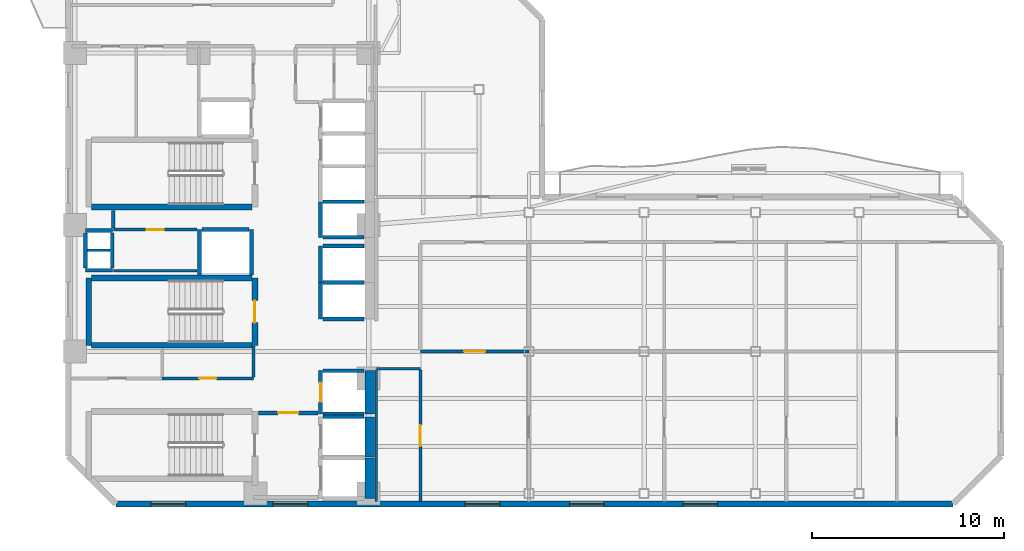
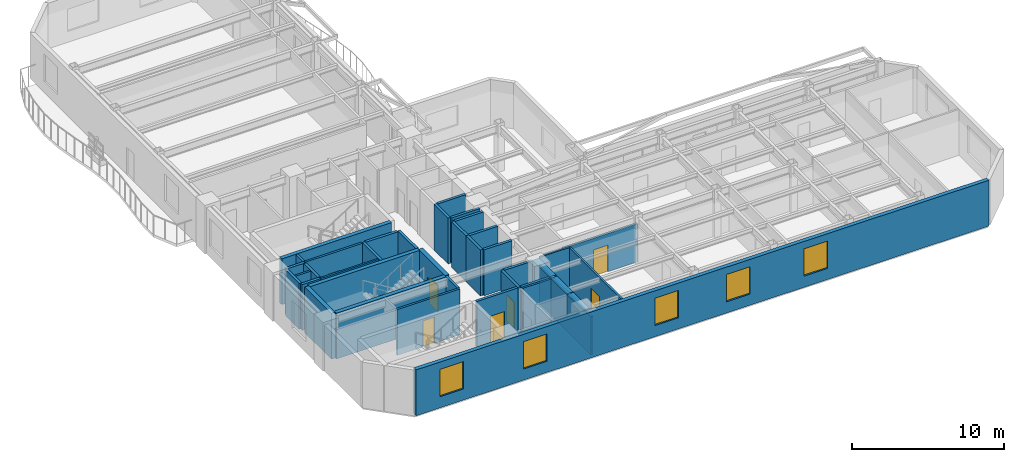
# One storey, part 3 of 9: 39 walls, 7 doors, 5 windows, 12 openings.
"""IFC4 building model written with IfcOpenShell, lengths in metres."""

from ifc_helpers import new_model, si_unit, direction, frame, frame_2d, origin, place, context, subcontext, project, spatial, rectangle, extrude, material, layer, layer_set, type_object, element, fill, save


model = new_model("IFC4")

# Units and contexts
model_context = context("Model", 3, precision=1e-05, world=origin(), true_north=direction((0.0, 1.0)))
body_context = subcontext(model_context, "Body", "Model", "MODEL_VIEW")
ifc_project = project(units=[si_unit("LENGTHUNIT", "METRE"), si_unit("AREAUNIT", "SQUARE_METRE"), si_unit("VOLUMEUNIT", "CUBIC_METRE"), si_unit("PLANEANGLEUNIT", "RADIAN"), si_unit("MASSUNIT", "GRAM", prefix="KILO")], contexts=[model_context])

# Site, building, storey
site_placement = place(None, origin())
site = spatial("IfcSite", under=ifc_project, at=site_placement, CompositionType="ELEMENT")
building_placement = place(site_placement, origin())
building = spatial("IfcBuilding", under=site, at=building_placement, Name="Mawjaban Terraces University", CompositionType="ELEMENT")
storey_placement = place(building_placement, frame((0.0, 0.0, 138.5)))
storey = spatial("IfcBuildingStorey", under=building, at=storey_placement, Name="L33", CompositionType="ELEMENT", Elevation=138.5)

# Wall, opening, door
ifc_material_1 = material(Name="Acoustic masonry blockwork", Category="masonry")
ifc_layer_1 = layer(ifc_material_1, 0.179931640625)
ifc_layer_set_1 = layer_set([ifc_layer_1], Name="Acoustic masonry blockwork")
wall_type_1 = type_object("IfcWallType", Name="AcousticStudioWall_180", PredefinedType="PARTITIONING", material=ifc_layer_set_1)
wall_1_placement = place(storey_placement, frame((46.0, 7.949951171875, 0.0), z_axis=(0.0, 0.0, 1.0), x_axis=(-1.0, 0.0, 0.0)))
wall_1 = element("IfcWall", 1, at=wall_1_placement, inside=storey, type_object=wall_type_1, Name="L33 Teaching Laboratory 2 Partition 19", PredefinedType="PARTITIONING", context=body_context, shape_type="SweptSolid", body=[
    extrude(rectangle(XDim=5.64990234375, YDim=0.179931640625, at=frame_2d((2.824951171875, 0.0))), origin(), (0.0, 0.0, 1.0), 3.072998046875),
])
opening_1_placement = place(wall_1_placement, frame((2.27490234375, 0.0, 0.0)))
opening_1 = element("IfcOpeningElement", 2, at=opening_1_placement, cuts=wall_1, Name="Opening ID-110", PredefinedType="OPENING", context=body_context, shape_type="SweptSolid", body=[
    extrude(rectangle(XDim=1.10009765625, YDim=2.14990234375, at=frame_2d((0.550048828125, 1.074951171875))), frame((0.0, 0.099853515625, 0.0), z_axis=(0.0, -1.0, 0.0), x_axis=(1.0, 0.0, 0.0)), (0.0, 0.0, 1.0), 0.199951171875),
])
ifc_material_2 = material(Name="Powder-coated steel frame and solid acoustic timber leaf", Category="steel")
door_type_1 = type_object("IfcDoorType", Name="LabDoor_1100x2150", OperationType="NOTDEFINED", PredefinedType="DOOR", material=ifc_material_2)
door_1_placement = place(opening_1_placement, origin())
door_1 = element("IfcDoor", 3, at=door_1_placement, inside=storey, type_object=door_type_1, Name="L33 Teaching Laboratory 2 Door", OperationType="SINGLE_SWING_LEFT", OverallHeight=2.14990234375, OverallWidth=1.10009765625, PredefinedType="DOOR", context=body_context, shape_type="SweptSolid", body=[
    extrude(rectangle(XDim=1.10009765625, YDim=2.14990234375, at=frame_2d((0.550048828125, 1.074951171875))), frame((0.0, 0.02490234375, 0.0), z_axis=(0.0, -1.0, 0.0), x_axis=(1.0, 0.0, 0.0)), (0.0, 0.0, 1.0), 0.050048828125),
])
fill(opening_1, door_1)

# Walls
ifc_material_3 = material(Name="Concrete C60/75", Category="concrete")
ifc_layer_2 = layer(ifc_material_3, 0.5)
ifc_layer_set_2 = layer_set([ifc_layer_2], Name="Concrete C60/75")
wall_type_2 = type_object("IfcWallType", Name="CoreShearWall_500", PredefinedType="SHEAR", material=ifc_layer_set_2)
wall_2_placement = place(storey_placement, frame((37.699951171875, 0.300048828125, 0.0), z_axis=(0.0, 0.0, 1.0), x_axis=(0.0, 1.0, 0.0)))
element("IfcWall", 4, at=wall_2_placement, inside=storey, type_object=wall_type_2, Name="L33 Lift FL-1 Hoistway Wall East", PredefinedType="SHEAR", context=body_context, shape_type="SweptSolid", body=[
    extrude(rectangle(XDim=2.099853515625, YDim=0.5, at=frame_2d((1.0498046875, 0.0))), origin(), (0.0, 0.0, 1.0), 3.68994140625),
])
wall_3_placement = place(storey_placement, frame((37.699951171875, 2.449951171875, 0.0), z_axis=(0.0, 0.0, 1.0), x_axis=(0.0, 1.0, 0.0)))
element("IfcWall", 5, at=wall_3_placement, inside=storey, type_object=wall_type_2, Name="L33 Lift FL-2 Hoistway Wall East", PredefinedType="SHEAR", context=body_context, shape_type="SweptSolid", body=[
    extrude(rectangle(XDim=2.10009765625, YDim=0.5, at=frame_2d((1.050048828125, 0.0))), origin(), (0.0, 0.0, 1.0), 3.68994140625),
])
wall_4_placement = place(storey_placement, frame((37.699951171875, 4.699951171875, 0.0), z_axis=(0.0, 0.0, 1.0), x_axis=(0.0, 1.0, 0.0)))
element("IfcWall", 6, at=wall_4_placement, inside=storey, type_object=wall_type_2, Name="L33 Lift SL-1 Hoistway Wall East", PredefinedType="SHEAR", context=body_context, shape_type="SweptSolid", body=[
    extrude(rectangle(XDim=2.25, YDim=0.5, at=frame_2d((1.125, 0.0))), origin(), (0.0, 0.0, 1.0), 3.68994140625),
])

# Wall, opening, door
ifc_material_4 = material(Name="Fire-rated gypsum board on steel stud", Category="steel")
ifc_layer_3 = layer(ifc_material_4, 0.159912109375)
ifc_layer_set_3 = layer_set([ifc_layer_3], Name="Fire-rated gypsum board on steel stud")
wall_type_3 = type_object("IfcWallType", Name="CorridorPartition_160", PredefinedType="PARTITIONING", material=ifc_layer_set_3)
wall_5_placement = place(storey_placement, frame((24.35009765625, 14.300048828125, 0.0), z_axis=(0.0, 0.0, 1.0), x_axis=(1.0, 0.0, 0.0)))
wall_5 = element("IfcWall", 7, at=wall_5_placement, inside=storey, type_object=wall_type_3, Name="L33 Core Riser Access Passage Partition 2", PredefinedType="PARTITIONING", context=body_context, shape_type="SweptSolid", body=[
    extrude(rectangle(XDim=4.369873046875, YDim=0.159912109375, at=frame_2d((2.18505859375, 0.0))), origin(), (0.0, 0.0, 1.0), 3.68994140625),
])
opening_2_placement = place(wall_5_placement, frame((1.7451171875, 0.0, 0.0)))
opening_2 = element("IfcOpeningElement", 8, at=opening_2_placement, cuts=wall_5, Name="Opening ID-088", PredefinedType="OPENING", context=body_context, shape_type="SweptSolid", body=[
    extrude(rectangle(XDim=0.8798828125, YDim=2.10009765625, at=frame_2d((0.43994140625, 1.050048828125))), frame((0.0, 0.08984375, 0.0), z_axis=(0.0, -1.0, 0.0), x_axis=(1.0, 0.0, 0.0)), (0.0, 0.0, 1.0), 0.179931640625),
])
door_type_2 = type_object("IfcDoorType", Name="ToiletDoor_880x2100", OperationType="NOTDEFINED", PredefinedType="DOOR", material=ifc_material_2)
door_2_placement = place(opening_2_placement, origin())
door_2 = element("IfcDoor", 9, at=door_2_placement, inside=storey, type_object=door_type_2, Name="L33 Ablution Room Door", OperationType="SINGLE_SWING_RIGHT", OverallHeight=2.10009765625, OverallWidth=0.8798828125, PredefinedType="DOOR", context=body_context, shape_type="SweptSolid", body=[
    extrude(rectangle(XDim=0.8798828125, YDim=2.10009765625, at=frame_2d((0.43994140625, 1.050048828125))), frame((0.0, 0.02490234375, 0.0), z_axis=(0.0, -1.0, 0.0), x_axis=(1.0, 0.0, 0.0)), (0.0, 0.0, 1.0), 0.050048828125),
])
fill(opening_2, door_2)

wall_6_placement = place(storey_placement, frame((31.64990234375, 6.550048828125, 0.0), z_axis=(0.0, 0.0, 1.0), x_axis=(-1.0, 0.0, 0.0)))
wall_6 = element("IfcWall", 10, at=wall_6_placement, inside=storey, type_object=wall_type_3, Name="L33 Core Washroom Lobby Partition 7", PredefinedType="PARTITIONING", context=body_context, shape_type="SweptSolid", body=[
    extrude(rectangle(XDim=4.75, YDim=0.159912109375, at=frame_2d((2.375, 0.0))), origin(), (0.0, 0.0, 1.0), 3.68994140625),
])
opening_3_placement = place(wall_6_placement, frame((1.93505859375, 0.0, 0.0)))
opening_3 = element("IfcOpeningElement", 11, at=opening_3_placement, cuts=wall_6, Name="Opening ID-088", PredefinedType="OPENING", context=body_context, shape_type="SweptSolid", body=[
    extrude(rectangle(XDim=0.8798828125, YDim=2.10009765625, at=frame_2d((0.43994140625, 1.050048828125))), frame((0.0, 0.08984375, 0.0), z_axis=(0.0, -1.0, 0.0), x_axis=(1.0, 0.0, 0.0)), (0.0, 0.0, 1.0), 0.179931640625),
])
door_3_placement = place(opening_3_placement, origin())
door_3 = element("IfcDoor", 12, at=door_3_placement, inside=storey, type_object=door_type_2, Name="L33 Accessible Toilet Door", OperationType="SINGLE_SWING_LEFT", OverallHeight=2.10009765625, OverallWidth=0.8798828125, PredefinedType="DOOR", context=body_context, shape_type="SweptSolid", body=[
    extrude(rectangle(XDim=0.8798828125, YDim=2.10009765625, at=frame_2d((0.43994140625, 1.050048828125))), frame((0.0, 0.02490234375, 0.0), z_axis=(0.0, -1.0, 0.0), x_axis=(1.0, 0.0, 0.0)), (0.0, 0.0, 1.0), 0.050048828125),
])
fill(opening_3, door_3)

# Walls
wall_7_placement = place(storey_placement, frame((24.35009765625, 15.2900390625, 0.0), z_axis=(0.0, 0.0, 1.0), x_axis=(0.0, -1.0, 0.0)))
element("IfcWall", 13, at=wall_7_placement, inside=storey, type_object=wall_type_3, Name="L33 Core Riser Access Passage Partition 28", PredefinedType="PARTITIONING", context=body_context, shape_type="SweptSolid", body=[
    extrude(rectangle(XDim=0.9150390625, YDim=0.159912109375, at=frame_2d((0.45751953125, 0.0))), origin(), (0.0, 0.0, 1.0), 3.68994140625),
])
wall_8_placement = place(storey_placement, frame((31.64990234375, 8.239990234375, 0.0), z_axis=(0.0, 0.0, 1.0), x_axis=(0.0, -1.0, 0.0)))
element("IfcWall", 14, at=wall_8_placement, inside=storey, type_object=wall_type_3, Name="L33 Passenger Lift Lobby Partition 32", PredefinedType="PARTITIONING", context=body_context, shape_type="SweptSolid", body=[
    extrude(rectangle(XDim=1.614990234375, YDim=0.159912109375, at=frame_2d((0.8076171875, 0.0))), origin(), (0.0, 0.0, 1.0), 3.68994140625),
])

# Wall, openings, windows
ifc_material_5 = material(Name="Insulated terracotta rainscreen on concrete backup C40/50", Category="masonry")
ifc_layer_4 = layer(ifc_material_5, 0.300048828125)
ifc_layer_set_4 = layer_set([ifc_layer_4], Name="Insulated terracotta rainscreen on concrete backup C40/50")
wall_type_4 = type_object("IfcWallType", Name="ExtTerracottaWall_300", PredefinedType="SOLIDWALL", material=ifc_layer_set_4)
wall_9_placement = place(storey_placement, frame((24.5, 0.0, 0.0), z_axis=(0.0, 0.0, 1.0), x_axis=(1.0, 0.0, 0.0)))
wall_9 = element("IfcWall", 15, at=wall_9_placement, inside=storey, type_object=wall_type_4, Name="L33 Exterior Terracotta Wall 1", PredefinedType="SOLIDWALL", context=body_context, shape_type="SweptSolid", body=[
    extrude(rectangle(XDim=43.60009765625, YDim=0.300048828125, at=frame_2d((21.800048828125, 0.0))), origin(), (0.0, 0.0, 1.0), 3.68994140625),
])
opening_4_placement = place(wall_9_placement, frame((1.824951171875, 0.0, 0.89990234375)))
opening_4 = element("IfcOpeningElement", 16, at=opening_4_placement, cuts=wall_9, Name="Opening W-10", PredefinedType="OPENING", context=body_context, shape_type="SweptSolid", body=[
    extrude(rectangle(XDim=1.800048828125, YDim=2.199951171875, at=frame_2d((0.89990234375, 1.10009765625))), frame((0.0, 0.159912109375, 0.0), z_axis=(0.0, -1.0, 0.0), x_axis=(1.0, 0.0, 0.0)), (0.0, 0.0, 1.0), 0.320068359375),
])
opening_5_placement = place(wall_9_placement, frame((8.175048828125, 0.0, 0.89990234375)))
opening_5 = element("IfcOpeningElement", 17, at=opening_5_placement, cuts=wall_9, Name="Opening W-10", PredefinedType="OPENING", context=body_context, shape_type="SweptSolid", body=[
    extrude(rectangle(XDim=1.800048828125, YDim=2.199951171875, at=frame_2d((0.89990234375, 1.10009765625))), frame((0.0, 0.159912109375, 0.0), z_axis=(0.0, -1.0, 0.0), x_axis=(1.0, 0.0, 0.0)), (0.0, 0.0, 1.0), 0.320068359375),
])
opening_6_placement = place(wall_9_placement, frame((18.175048828125, 0.0, 0.89990234375)))
opening_6 = element("IfcOpeningElement", 18, at=opening_6_placement, cuts=wall_9, Name="Opening W-10", PredefinedType="OPENING", context=body_context, shape_type="SweptSolid", body=[
    extrude(rectangle(XDim=1.800048828125, YDim=2.199951171875, at=frame_2d((0.89990234375, 1.10009765625))), frame((0.0, 0.159912109375, 0.0), z_axis=(0.0, -1.0, 0.0), x_axis=(1.0, 0.0, 0.0)), (0.0, 0.0, 1.0), 0.320068359375),
])
opening_7_placement = place(wall_9_placement, frame((23.625, 0.0, 0.89990234375)))
opening_7 = element("IfcOpeningElement", 19, at=opening_7_placement, cuts=wall_9, Name="Opening W-10", PredefinedType="OPENING", context=body_context, shape_type="SweptSolid", body=[
    extrude(rectangle(XDim=1.800048828125, YDim=2.199951171875, at=frame_2d((0.89990234375, 1.10009765625))), frame((0.0, 0.159912109375, 0.0), z_axis=(0.0, -1.0, 0.0), x_axis=(1.0, 0.0, 0.0)), (0.0, 0.0, 1.0), 0.320068359375),
])
opening_8_placement = place(wall_9_placement, frame((29.52490234375, 0.0, 0.89990234375)))
opening_8 = element("IfcOpeningElement", 20, at=opening_8_placement, cuts=wall_9, Name="Opening W-10", PredefinedType="OPENING", context=body_context, shape_type="SweptSolid", body=[
    extrude(rectangle(XDim=1.800048828125, YDim=2.199951171875, at=frame_2d((0.89990234375, 1.10009765625))), frame((0.0, 0.159912109375, 0.0), z_axis=(0.0, -1.0, 0.0), x_axis=(1.0, 0.0, 0.0)), (0.0, 0.0, 1.0), 0.320068359375),
])
ifc_material_6 = material(Name="Low-E solar-control double glazing in thermally broken aluminium frame", Category="aluminium")
window_type = type_object("IfcWindowType", Name="Win_1800x2200", PartitioningType="SINGLE_PANEL", PredefinedType="WINDOW", material=ifc_material_6)
window_1_placement = place(opening_4_placement, origin())
window_1 = element("IfcWindow", 21, at=window_1_placement, inside=storey, type_object=window_type, Name="L33 Facade Window 1.1", OverallHeight=2.199951171875, OverallWidth=1.800048828125, PartitioningType="SINGLE_PANEL", PredefinedType="WINDOW", context=body_context, shape_type="SweptSolid", body=[
    extrude(rectangle(XDim=1.800048828125, YDim=2.199951171875, at=frame_2d((0.89990234375, 1.10009765625))), frame((0.0, 0.030029296875, 0.0), z_axis=(0.0, -1.0, 0.0), x_axis=(1.0, 0.0, 0.0)), (0.0, 0.0, 1.0), 0.06005859375),
])
fill(opening_4, window_1)
window_2_placement = place(opening_5_placement, origin())
window_2 = element("IfcWindow", 22, at=window_2_placement, inside=storey, type_object=window_type, Name="L33 Facade Window 1.2", OverallHeight=2.199951171875, OverallWidth=1.800048828125, PartitioningType="SINGLE_PANEL", PredefinedType="WINDOW", context=body_context, shape_type="SweptSolid", body=[
    extrude(rectangle(XDim=1.800048828125, YDim=2.199951171875, at=frame_2d((0.89990234375, 1.10009765625))), frame((0.0, 0.030029296875, 0.0), z_axis=(0.0, -1.0, 0.0), x_axis=(1.0, 0.0, 0.0)), (0.0, 0.0, 1.0), 0.06005859375),
])
fill(opening_5, window_2)
window_3_placement = place(opening_6_placement, origin())
window_3 = element("IfcWindow", 23, at=window_3_placement, inside=storey, type_object=window_type, Name="L33 Facade Window 1.4", OverallHeight=2.199951171875, OverallWidth=1.800048828125, PartitioningType="SINGLE_PANEL", PredefinedType="WINDOW", context=body_context, shape_type="SweptSolid", body=[
    extrude(rectangle(XDim=1.800048828125, YDim=2.199951171875, at=frame_2d((0.89990234375, 1.10009765625))), frame((0.0, 0.030029296875, 0.0), z_axis=(0.0, -1.0, 0.0), x_axis=(1.0, 0.0, 0.0)), (0.0, 0.0, 1.0), 0.06005859375),
])
fill(opening_6, window_3)
window_4_placement = place(opening_7_placement, origin())
window_4 = element("IfcWindow", 24, at=window_4_placement, inside=storey, type_object=window_type, Name="L33 Facade Window 1.5", OverallHeight=2.199951171875, OverallWidth=1.800048828125, PartitioningType="SINGLE_PANEL", PredefinedType="WINDOW", context=body_context, shape_type="SweptSolid", body=[
    extrude(rectangle(XDim=1.800048828125, YDim=2.199951171875, at=frame_2d((0.89990234375, 1.10009765625))), frame((0.0, 0.030029296875, 0.0), z_axis=(0.0, -1.0, 0.0), x_axis=(1.0, 0.0, 0.0)), (0.0, 0.0, 1.0), 0.06005859375),
])
fill(opening_7, window_4)
window_5_placement = place(opening_8_placement, origin())
window_5 = element("IfcWindow", 25, at=window_5_placement, inside=storey, type_object=window_type, Name="L33 Facade Window 1.6", OverallHeight=2.199951171875, OverallWidth=1.800048828125, PartitioningType="SINGLE_PANEL", PredefinedType="WINDOW", context=body_context, shape_type="SweptSolid", body=[
    extrude(rectangle(XDim=1.800048828125, YDim=2.199951171875, at=frame_2d((0.89990234375, 1.10009765625))), frame((0.0, 0.030029296875, 0.0), z_axis=(0.0, -1.0, 0.0), x_axis=(1.0, 0.0, 0.0)), (0.0, 0.0, 1.0), 0.06005859375),
])
fill(opening_8, window_5)

# Wall
ifc_material_7 = material(Name="Concrete C40/50", Category="concrete")
ifc_layer_5 = layer(ifc_material_7, 0.199951171875)
ifc_layer_set_5 = layer_set([ifc_layer_5], Name="Concrete C40/50")
wall_type_5 = type_object("IfcWallType", Name="FireLobbyWall_200", PredefinedType="SOLIDWALL", material=ifc_layer_set_5)
wall_10_placement = place(storey_placement, frame((37.419921875, 4.550048828125, 0.0), z_axis=(0.0, 0.0, 1.0), x_axis=(-1.0, 0.0, 0.0)))
element("IfcWall", 26, at=wall_10_placement, inside=storey, type_object=wall_type_5, Name="L33 Lift FL-2 Hoistway Wall North", PredefinedType="SOLIDWALL", context=body_context, shape_type="SweptSolid", body=[
    extrude(rectangle(XDim=2.139892578125, YDim=0.199951171875, at=frame_2d((1.06982421875, 0.0))), origin(), (0.0, 0.0, 1.0), 3.68994140625),
])

# Wall, opening, door
wall_11_placement = place(storey_placement, frame((35.14990234375, 6.949951171875, 0.0), z_axis=(0.0, 0.0, 1.0), x_axis=(0.0, -1.0, 0.0)))
wall_11 = element("IfcWall", 27, at=wall_11_placement, inside=storey, type_object=wall_type_5, Name="L33 Lift SL-1 Hoistway Wall West", PredefinedType="SOLIDWALL", context=body_context, shape_type="SweptSolid", body=[
    extrude(rectangle(XDim=2.25, YDim=0.199951171875, at=frame_2d((1.125, 0.0))), origin(), (0.0, 0.0, 1.0), 3.68994140625),
])
opening_9_placement = place(wall_11_placement, frame((0.625, 0.0, 0.0)))
opening_9 = element("IfcOpeningElement", 28, at=opening_9_placement, cuts=wall_11, Name="Opening LD-SL-1", PredefinedType="OPENING", context=body_context, shape_type="SweptSolid", body=[
    extrude(rectangle(XDim=1.0, YDim=2.10009765625, at=frame_2d((0.5, 1.050048828125))), frame((0.0, 0.10986328125, 0.0), z_axis=(0.0, -1.0, 0.0), x_axis=(1.0, 0.0, 0.0)), (0.0, 0.0, 1.0), 0.219970703125),
])
ifc_material_8 = material(Name="Powder-coated steel frame and fire-rated steel-faced leaf", Category="steel")
door_type_3 = type_object("IfcDoorType", Name="LiftLandingSliding_1000x2100", OperationType="NOTDEFINED", PredefinedType="DOOR", material=ifc_material_8)
door_4_placement = place(opening_9_placement, origin())
door_4 = element("IfcDoor", 29, at=door_4_placement, inside=storey, type_object=door_type_3, Name="L33 Lift SL-1 Sliding Landing Door", OperationType="DOUBLE_DOOR_SLIDING", OverallHeight=2.10009765625, OverallWidth=1.0, PredefinedType="DOOR", context=body_context, shape_type="SweptSolid", body=[
    extrude(rectangle(XDim=1.0, YDim=2.10009765625, at=frame_2d((0.5, 1.050048828125))), frame((0.0, 0.02490234375, 0.0), z_axis=(0.0, -1.0, 0.0), x_axis=(1.0, 0.0, 0.0)), (0.0, 0.0, 1.0), 0.050048828125),
])
fill(opening_9, door_4)

# Walls
for number, where, z_axis, x_axis, name in (
    (30, (35.280029296875, 4.699951171875, 0.0), (0.0, 0.0, 1.0), (1.0, 0.0, 0.0), "L33 Lift SL-1 Hoistway Wall South"),
    (31, (37.419921875, 6.949951171875, 0.0), (0.0, 0.0, 1.0), (-1.0, 0.0, 0.0), "L33 Lift SL-1 Hoistway Wall North"),
):
    element("IfcWall", number, at=place(storey_placement, frame(where, z_axis=z_axis, x_axis=x_axis)), inside=storey, type_object=wall_type_5, Name=name, PredefinedType="SOLIDWALL", context=body_context, shape_type="SweptSolid", body=[
        extrude(rectangle(XDim=2.139892578125, YDim=0.199951171875, at=frame_2d((1.06982421875, 0.0))), origin(), (0.0, 0.0, 1.0), 3.68994140625),
    ])
wall_12_placement = place(storey_placement, frame((35.14990234375, 11.550048828125, 0.0), z_axis=(0.0, 0.0, 1.0), x_axis=(0.0, -1.0, 0.0)))
element("IfcWall", 32, at=wall_12_placement, inside=storey, type_object=wall_type_5, Name="L33 Lift PL-H1 Hoistway Wall West", PredefinedType="SOLIDWALL", context=body_context, shape_type="SweptSolid", body=[
    extrude(rectangle(XDim=1.900146484375, YDim=0.199951171875, at=frame_2d((0.9501953125, 0.0))), origin(), (0.0, 0.0, 1.0), 3.68994140625),
])
for number, where, z_axis, x_axis, name in (
    (33, (35.280029296875, 9.64990234375, 0.0), (0.0, 0.0, 1.0), (1.0, 0.0, 0.0), "L33 Lift PL-H1 Hoistway Wall South"),
    (34, (37.419921875, 11.550048828125, 0.0), (0.0, 0.0, 1.0), (-1.0, 0.0, 0.0), "L33 Lift PL-H1 Hoistway Wall North"),
):
    element("IfcWall", number, at=place(storey_placement, frame(where, z_axis=z_axis, x_axis=x_axis)), inside=storey, type_object=wall_type_5, Name=name, PredefinedType="SOLIDWALL", context=body_context, shape_type="SweptSolid", body=[
        extrude(rectangle(XDim=2.139892578125, YDim=0.199951171875, at=frame_2d((1.06982421875, 0.0))), origin(), (0.0, 0.0, 1.0), 3.68994140625),
    ])
wall_13_placement = place(storey_placement, frame((35.14990234375, 13.449951171875, 0.0), z_axis=(0.0, 0.0, 1.0), x_axis=(0.0, -1.0, 0.0)))
element("IfcWall", 35, at=wall_13_placement, inside=storey, type_object=wall_type_5, Name="L33 Lift PL-H2 Hoistway Wall West", PredefinedType="SOLIDWALL", context=body_context, shape_type="SweptSolid", body=[
    extrude(rectangle(XDim=1.89990234375, YDim=0.199951171875, at=frame_2d((0.949951171875, 0.0))), origin(), (0.0, 0.0, 1.0), 3.68994140625),
])
wall_14_placement = place(storey_placement, frame((37.419921875, 13.449951171875, 0.0), z_axis=(0.0, 0.0, 1.0), x_axis=(-1.0, 0.0, 0.0)))
element("IfcWall", 36, at=wall_14_placement, inside=storey, type_object=wall_type_5, Name="L33 Lift PL-H2 Hoistway Wall North", PredefinedType="SOLIDWALL", context=body_context, shape_type="SweptSolid", body=[
    extrude(rectangle(XDim=2.139892578125, YDim=0.199951171875, at=frame_2d((1.06982421875, 0.0))), origin(), (0.0, 0.0, 1.0), 3.68994140625),
])
for number, where, z_axis, x_axis, name in (
    (37, (28.85009765625, 14.300048828125, 0.0), (0.0, 0.0, 1.0), (0.0, -1.0, 0.0), "L33 Lift PL-H3 Hoistway Wall West"),
    (38, (31.550048828125, 11.929931640625, 0.0), (0.0, 0.0, 1.0), (0.0, 1.0, 0.0), "L33 Lift PL-H3 Hoistway Wall East"),
):
    element("IfcWall", number, at=place(storey_placement, frame(where, z_axis=z_axis, x_axis=x_axis)), inside=storey, type_object=wall_type_5, Name=name, PredefinedType="SOLIDWALL", context=body_context, shape_type="SweptSolid", body=[
        extrude(rectangle(XDim=2.3701171875, YDim=0.199951171875, at=frame_2d((1.18505859375, 0.0))), origin(), (0.0, 0.0, 1.0), 3.68994140625),
    ])
wall_15_placement = place(storey_placement, frame((31.419921875, 14.300048828125, 0.0), z_axis=(0.0, 0.0, 1.0), x_axis=(-1.0, 0.0, 0.0)))
element("IfcWall", 39, at=wall_15_placement, inside=storey, type_object=wall_type_5, Name="L33 Lift PL-H3 Hoistway Wall North", PredefinedType="SOLIDWALL", context=body_context, shape_type="SweptSolid", body=[
    extrude(rectangle(XDim=2.43994140625, YDim=0.199951171875, at=frame_2d((1.219970703125, 0.0))), origin(), (0.0, 0.0, 1.0), 3.68994140625),
])
wall_16_placement = place(storey_placement, frame((35.14990234375, 15.75, 0.0), z_axis=(0.0, 0.0, 1.0), x_axis=(0.0, -1.0, 0.0)))
element("IfcWall", 40, at=wall_16_placement, inside=storey, type_object=wall_type_5, Name="L33 Lift OL-1 Hoistway Wall West", PredefinedType="SOLIDWALL", context=body_context, shape_type="SweptSolid", body=[
    extrude(rectangle(XDim=1.85009765625, YDim=0.199951171875, at=frame_2d((0.925048828125, 0.0))), origin(), (0.0, 0.0, 1.0), 3.68994140625),
])
for number, where, z_axis, x_axis, name in (
    (41, (35.280029296875, 13.89990234375, 0.0), (0.0, 0.0, 1.0), (1.0, 0.0, 0.0), "L33 Lift OL-1 Hoistway Wall South"),
    (42, (37.419921875, 15.75, 0.0), (0.0, 0.0, 1.0), (-1.0, 0.0, 0.0), "L33 Lift OL-1 Hoistway Wall North"),
):
    element("IfcWall", number, at=place(storey_placement, frame(where, z_axis=z_axis, x_axis=x_axis)), inside=storey, type_object=wall_type_5, Name=name, PredefinedType="SOLIDWALL", context=body_context, shape_type="SweptSolid", body=[
        extrude(rectangle(XDim=2.139892578125, YDim=0.199951171875, at=frame_2d((1.06982421875, 0.0))), origin(), (0.0, 0.0, 1.0), 3.68994140625),
    ])
for number, where, z_axis, x_axis, name in (
    (43, (22.89990234375, 14.25, 0.0), (0.0, 0.0, 1.0), (1.0, 0.0, 0.0), "L33 MEP Riser Shaft Wall N"),
    (44, (22.89990234375, 12.179931640625, 0.0), (0.0, 0.0, 1.0), (1.0, 0.0, 0.0), "L33 MEP Riser Shaft Wall S"),
):
    element("IfcWall", number, at=place(storey_placement, frame(where, z_axis=z_axis, x_axis=x_axis)), inside=storey, type_object=wall_type_5, Name=name, PredefinedType="SOLIDWALL", context=body_context, shape_type="SweptSolid", body=[
        extrude(rectangle(XDim=1.400146484375, YDim=0.199951171875, at=frame_2d((0.7001953125, 0.0))), origin(), (0.0, 0.0, 1.0), 3.68994140625),
    ])
for number, where, z_axis, x_axis, name in (
    (45, (24.300048828125, 12.300048828125, 0.0), (0.0, 0.0, 1.0), (0.0, 1.0, 0.0), "L33 MEP Riser Shaft Wall E"),
    (46, (22.89990234375, 12.300048828125, 0.0), (0.0, 0.0, 1.0), (0.0, 1.0, 0.0), "L33 MEP Riser Shaft Wall W"),
):
    element("IfcWall", number, at=place(storey_placement, frame(where, z_axis=z_axis, x_axis=x_axis)), inside=storey, type_object=wall_type_5, Name=name, PredefinedType="SOLIDWALL", context=body_context, shape_type="SweptSolid", body=[
        extrude(rectangle(XDim=1.829833984375, YDim=0.199951171875, at=frame_2d((0.9150390625, 0.0))), origin(), (0.0, 0.0, 1.0), 3.68994140625),
    ])

# Wall, opening, door
wall_17_placement = place(storey_placement, frame((35.02001953125, 4.75, 0.0), z_axis=(0.0, 0.0, 1.0), x_axis=(-1.0, 0.0, 0.0)))
wall_17 = element("IfcWall", 47, at=wall_17_placement, inside=storey, type_object=wall_type_5, Name="L33 Firefighting Lift Lobby Partition 9", PredefinedType="SOLIDWALL", context=body_context, shape_type="SweptSolid", body=[
    extrude(rectangle(XDim=3.110107421875, YDim=0.199951171875, at=frame_2d((1.55517578125, 0.0))), origin(), (0.0, 0.0, 1.0), 3.68994140625),
])
opening_10_placement = place(wall_17_placement, frame((1.030029296875, 0.0, 0.0)))
opening_10 = element("IfcOpeningElement", 48, at=opening_10_placement, cuts=wall_17, Name="Opening FD-105", PredefinedType="OPENING", context=body_context, shape_type="SweptSolid", body=[
    extrude(rectangle(XDim=1.050048828125, YDim=2.14990234375, at=frame_2d((0.52490234375, 1.074951171875))), frame((0.0, 0.10986328125, 0.0), z_axis=(0.0, -1.0, 0.0), x_axis=(1.0, 0.0, 0.0)), (0.0, 0.0, 1.0), 0.219970703125),
])
door_type_4 = type_object("IfcDoorType", Name="FireLobbyDoor_1050x2150", OperationType="NOTDEFINED", PredefinedType="DOOR", material=ifc_material_8)
door_5_placement = place(opening_10_placement, origin())
door_5 = element("IfcDoor", 49, at=door_5_placement, inside=storey, type_object=door_type_4, Name="L33 Firefighting Lift Lobby Door", OperationType="SINGLE_SWING_RIGHT", OverallHeight=2.14990234375, OverallWidth=1.050048828125, PredefinedType="DOOR", context=body_context, shape_type="SweptSolid", body=[
    extrude(rectangle(XDim=1.050048828125, YDim=2.14990234375, at=frame_2d((0.52490234375, 1.074951171875))), frame((0.0, 0.02490234375, 0.0), z_axis=(0.0, -1.0, 0.0), x_axis=(1.0, 0.0, 0.0)), (0.0, 0.0, 1.0), 0.050048828125),
])
fill(opening_10, door_5)

# Walls
ifc_material_9 = material(Name="Moisture-resistant gypsum board on steel stud", Category="steel")
ifc_layer_6 = layer(ifc_material_9, 0.14501953125)
ifc_layer_set_6 = layer_set([ifc_layer_6], Name="Moisture-resistant gypsum board on steel stud")
wall_type_6 = type_object("IfcWallType", Name="LabPartition_145", PredefinedType="PARTITIONING", material=ifc_layer_set_6)
wall_18_placement = place(storey_placement, frame((23.010009765625, 13.22509765625, 0.0), z_axis=(0.0, 0.0, 1.0), x_axis=(1.0, 0.0, 0.0)))
element("IfcWall", 50, at=wall_18_placement, inside=storey, type_object=wall_type_6, Name="L33 MEP Riser Shaft Wall M", PredefinedType="PARTITIONING", context=body_context, shape_type="SweptSolid", body=[
    extrude(rectangle(XDim=1.179931640625, YDim=0.14501953125, at=frame_2d((0.58984375, 0.0))), origin(), (0.0, 0.0, 1.0), 3.68994140625),
])
wall_19_placement = place(storey_placement, frame((38.050048828125, 7.050048828125, 0.0), z_axis=(0.0, 0.0, 1.0), x_axis=(1.0, 0.0, 0.0)))
element("IfcWall", 51, at=wall_19_placement, inside=storey, type_object=wall_type_6, Name="L33 Inner Gallery Link Corridor Partition 15", PredefinedType="PARTITIONING", context=body_context, shape_type="SweptSolid", body=[
    extrude(rectangle(XDim=2.300048828125, YDim=0.14501953125, at=frame_2d((1.14990234375, 0.0))), origin(), (0.0, 0.0, 1.0), 3.68994140625),
])
wall_20_placement = place(storey_placement, frame((38.050048828125, 6.98193359375, 0.0), z_axis=(0.0, 0.0, 1.0), x_axis=(0.0, -1.0, 0.0)))
element("IfcWall", 52, at=wall_20_placement, inside=storey, type_object=wall_type_6, Name="L33 Computational Laboratory 1 Partition 40", PredefinedType="PARTITIONING", context=body_context, shape_type="SweptSolid", body=[
    extrude(rectangle(XDim=6.8369140625, YDim=0.14501953125, at=frame_2d((3.41845703125, 0.0))), origin(), (0.0, 0.0, 1.0), 3.072998046875),
])

# Wall, opening, door
wall_21_placement = place(storey_placement, frame((40.35009765625, 0.14501953125, 0.0), z_axis=(0.0, 0.0, 1.0), x_axis=(0.0, 1.0, 0.0)))
wall_21 = element("IfcWall", 53, at=wall_21_placement, inside=storey, type_object=wall_type_6, Name="L33 Computational Laboratory 1 Partition 43", PredefinedType="PARTITIONING", context=body_context, shape_type="SweptSolid", body=[
    extrude(rectangle(XDim=6.8369140625, YDim=0.14501953125, at=frame_2d((3.41845703125, 0.0))), origin(), (0.0, 0.0, 1.0), 3.68994140625),
])
opening_11_placement = place(wall_21_placement, frame((2.868896484375, 0.0, 0.0)))
opening_11 = element("IfcOpeningElement", 54, at=opening_11_placement, cuts=wall_21, Name="Opening ID-110", PredefinedType="OPENING", context=body_context, shape_type="SweptSolid", body=[
    extrude(rectangle(XDim=1.10009765625, YDim=2.14990234375, at=frame_2d((0.550048828125, 1.074951171875))), frame((0.0, 0.08251953125, 0.0), z_axis=(0.0, -1.0, 0.0), x_axis=(1.0, 0.0, 0.0)), (0.0, 0.0, 1.0), 0.1650390625),
])
door_6_placement = place(opening_11_placement, origin())
door_6 = element("IfcDoor", 55, at=door_6_placement, inside=storey, type_object=door_type_1, Name="L33 Computational Laboratory 1 Door", OperationType="SINGLE_SWING_RIGHT", OverallHeight=2.14990234375, OverallWidth=1.10009765625, PredefinedType="DOOR", context=body_context, shape_type="SweptSolid", body=[
    extrude(rectangle(XDim=1.10009765625, YDim=2.14990234375, at=frame_2d((0.550048828125, 1.074951171875))), frame((0.0, 0.02490234375, 0.0), z_axis=(0.0, -1.0, 0.0), x_axis=(1.0, 0.0, 0.0)), (0.0, 0.0, 1.0), 0.050048828125),
])
fill(opening_11, door_6)

# Walls
ifc_layer_7 = layer(ifc_material_3, 0.300048828125)
ifc_layer_set_7 = layer_set([ifc_layer_7], Name="Concrete C60/75")
wall_type_7 = type_object("IfcWallType", Name="StairShaftWall_300", PredefinedType="SHEAR", material=ifc_layer_set_7)
for number, where, z_axis, x_axis, name in (
    (56, (23.219970703125, 15.469970703125, 0.0), (0.0, 0.0, 1.0), (1.0, 0.0, 0.0), "L33 ST-2 Stair Shaft Wall 3"),
    (57, (31.580078125, 11.780029296875, 0.0), (0.0, 0.0, 1.0), (-1.0, 0.0, 0.0), "L33 ST-3 Stair Shaft Wall 1"),
):
    element("IfcWall", number, at=place(storey_placement, frame(where, z_axis=z_axis, x_axis=x_axis)), inside=storey, type_object=wall_type_7, Name=name, PredefinedType="SHEAR", context=body_context, shape_type="SweptSolid", body=[
        extrude(rectangle(XDim=8.360107421875, YDim=0.300048828125, at=frame_2d((4.18017578125, 0.0))), origin(), (0.0, 0.0, 1.0), 3.68994140625),
    ])
wall_22_placement = place(storey_placement, frame((23.070068359375, 11.780029296875, 0.0), z_axis=(0.0, 0.0, 1.0), x_axis=(0.0, -1.0, 0.0)))
element("IfcWall", 58, at=wall_22_placement, inside=storey, type_object=wall_type_7, Name="L33 ST-3 Stair Shaft Wall 2", PredefinedType="SHEAR", context=body_context, shape_type="SweptSolid", body=[
    extrude(rectangle(XDim=3.510009765625, YDim=0.300048828125, at=frame_2d((1.7548828125, 0.0))), origin(), (0.0, 0.0, 1.0), 3.68994140625),
])
wall_23_placement = place(storey_placement, frame((23.219970703125, 8.27001953125, 0.0), z_axis=(0.0, 0.0, 1.0), x_axis=(1.0, 0.0, 0.0)))
element("IfcWall", 59, at=wall_23_placement, inside=storey, type_object=wall_type_7, Name="L33 ST-3 Stair Shaft Wall 3", PredefinedType="SHEAR", context=body_context, shape_type="SweptSolid", body=[
    extrude(rectangle(XDim=8.360107421875, YDim=0.300048828125, at=frame_2d((4.18017578125, 0.0))), origin(), (0.0, 0.0, 1.0), 3.68994140625),
])

# Wall, opening, door
wall_24_placement = place(storey_placement, frame((31.72998046875, 8.27001953125, 0.0), z_axis=(0.0, 0.0, 1.0), x_axis=(0.0, 1.0, 0.0)))
wall_24 = element("IfcWall", 60, at=wall_24_placement, inside=storey, type_object=wall_type_7, Name="L33 ST-3 Stair Shaft Wall 4", PredefinedType="SHEAR", context=body_context, shape_type="SweptSolid", body=[
    extrude(rectangle(XDim=3.510009765625, YDim=0.300048828125, at=frame_2d((1.7548828125, 0.0))), origin(), (0.0, 0.0, 1.0), 3.68994140625),
])
opening_12_placement = place(wall_24_placement, frame((1.179931640625, 0.0, 0.0)))
opening_12 = element("IfcOpeningElement", 61, at=opening_12_placement, cuts=wall_24, Name="Opening FD-115", PredefinedType="OPENING", context=body_context, shape_type="SweptSolid", body=[
    extrude(rectangle(XDim=1.14990234375, YDim=2.14990234375, at=frame_2d((0.574951171875, 1.074951171875))), frame((0.0, 0.159912109375, 0.0), z_axis=(0.0, -1.0, 0.0), x_axis=(1.0, 0.0, 0.0)), (0.0, 0.0, 1.0), 0.320068359375),
])
door_type_5 = type_object("IfcDoorType", Name="FireStairDoor_1150x2150", OperationType="NOTDEFINED", PredefinedType="DOOR", material=ifc_material_8)
door_7_placement = place(opening_12_placement, origin())
door_7 = element("IfcDoor", 62, at=door_7_placement, inside=storey, type_object=door_type_5, Name="L33 ST-3 Pressurised Stair Fire Door", OperationType="SINGLE_SWING_LEFT", OverallHeight=2.14990234375, OverallWidth=1.14990234375, PredefinedType="DOOR", context=body_context, shape_type="SweptSolid", body=[
    extrude(rectangle(XDim=1.14990234375, YDim=2.14990234375, at=frame_2d((0.574951171875, 1.074951171875))), frame((0.0, 0.02490234375, 0.0), z_axis=(0.0, -1.0, 0.0), x_axis=(1.0, 0.0, 0.0)), (0.0, 0.0, 1.0), 0.050048828125),
])
fill(opening_12, door_7)

# Wall
ifc_material_10 = material(Name="Cement-board wet-room partition", Category="masonry")
ifc_layer_8 = layer(ifc_material_10, 0.135009765625)
ifc_layer_set_8 = layer_set([ifc_layer_8], Name="Cement-board wet-room partition")
wall_type_8 = type_object("IfcWallType", Name="WetRoomPartition_135", PredefinedType="PARTITIONING", material=ifc_layer_set_8)
wall_25_placement = place(storey_placement, frame((24.35009765625, 12.14990234375, 0.0), z_axis=(0.0, 0.0, 1.0), x_axis=(1.0, 0.0, 0.0)))
element("IfcWall", 63, at=wall_25_placement, inside=storey, type_object=wall_type_8, Name="L33 Ablution Room Partition 1", PredefinedType="PARTITIONING", context=body_context, shape_type="SweptSolid", body=[
    extrude(rectangle(XDim=4.369873046875, YDim=0.135009765625, at=frame_2d((2.18505859375, 0.0))), origin(), (0.0, 0.0, 1.0), 3.68994140625),
])

save(model, "model.ifc")
